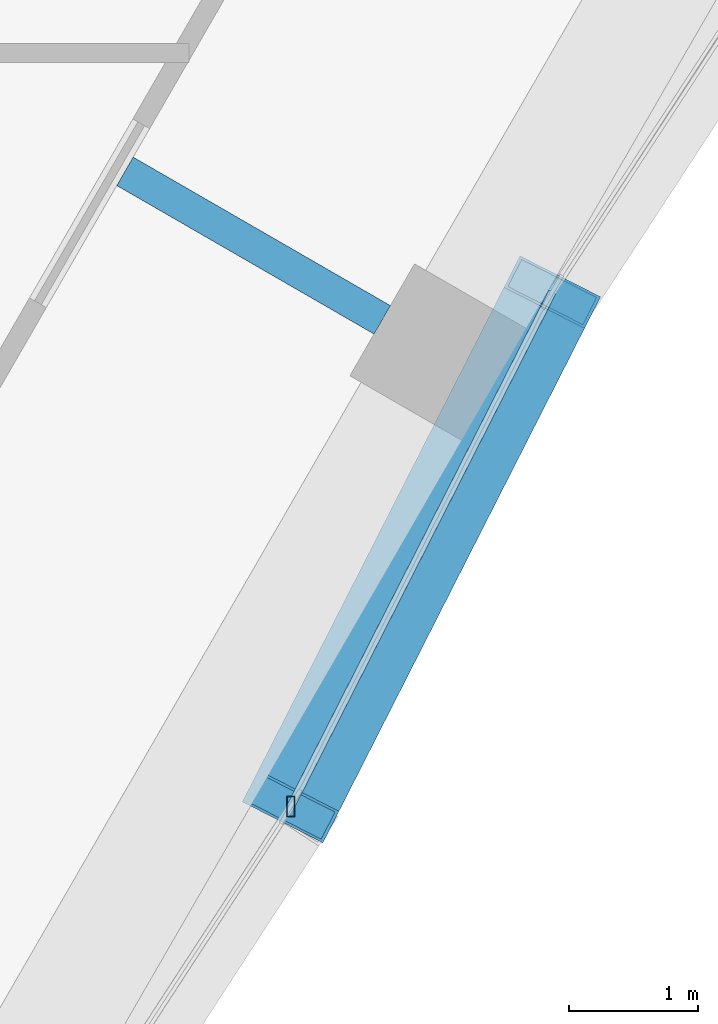
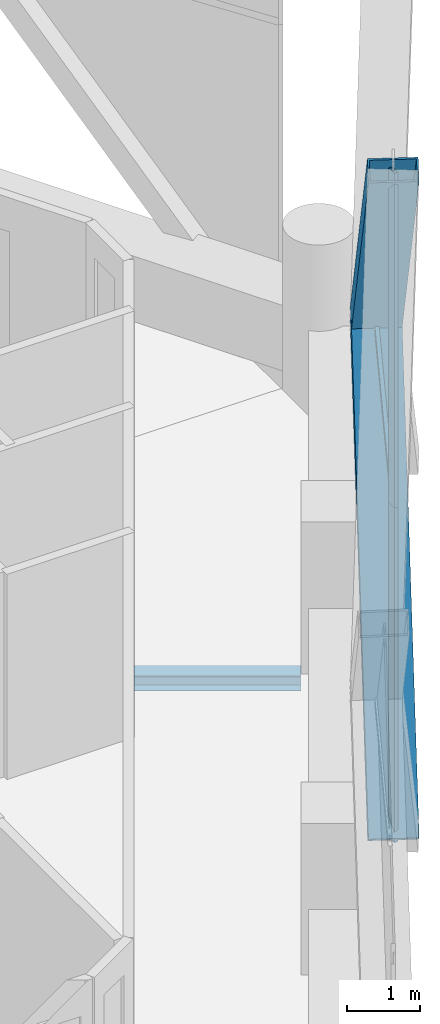
# One storey, part 6 of 19: 5 members, 1 beam, 2 elements without a shape of their own.
"""IFC4 building model written with IfcOpenShell, lengths in metres."""

import ifcopenshell
import ifcopenshell.guid

model = None  # the IFC model being written
_history = None  # IfcOwnerHistory: only IFC2X3 demands one
_inside = {}  # id of a spatial element -> (the spatial element, [elements in it])
_under = {}  # id of a project, library or spatial element -> (it, [spatial elements below it])
_declared = {}  # id of a project -> (the project, [libraries it declares])
_typed = {}  # id of a type object -> (the type object, [elements of that type])
_made_of = {}  # id of a material, layer set ... -> (it, [elements and type objects made of it])


def new_model(schema):
    """Start an empty IFC model of exactly this schema.

    Asked for "IFC4X3", IfcOpenShell would pick the latest addendum, in which some entities
    have other attributes; the version numbers below select the first issue.
    IFC2X3 requires an IfcOwnerHistory on every rooted entity: one is made here for all.
    """
    global model, _history
    if schema == "IFC4X3":
        model = ifcopenshell.file(schema_version=(4, 3, 0, 0))
    else:
        model = ifcopenshell.file(schema=schema)
    _inside.clear()
    _under.clear()
    _declared.clear()
    _typed.clear()
    _made_of.clear()
    _history = None
    if model.schema == "IFC2X3":
        org = make("IfcOrganization", Name="unknown")
        user = make(
            "IfcPersonAndOrganization",
            ThePerson=make("IfcPerson", FamilyName="unknown"),
            TheOrganization=org,
        )
        app = make(
            "IfcApplication",
            ApplicationDeveloper=org,
            Version="unknown",
            ApplicationFullName="unknown",
            ApplicationIdentifier="unknown",
        )
        _history = make(
            "IfcOwnerHistory",
            OwningUser=user,
            OwningApplication=app,
            ChangeAction="ADDED",
            CreationDate=0,
        )
    return model


def make(cls, **values):
    """One entity of the class cls with the attributes given. An attribute that is None is left unset."""
    return model.create_entity(
        cls, **{name: value for name, value in values.items() if value is not None}
    )


def rooted(cls, **values):
    """An entity with a GlobalId (a new one), such as an element, a storey or a relation."""
    return make(cls, GlobalId=ifcopenshell.guid.new(), OwnerHistory=_history, **values)


def si_unit(unit_type, name, prefix=None):
    """IfcSIUnit, for example si_unit("LENGTHUNIT", "METRE", prefix="MILLI")."""
    return make("IfcSIUnit", UnitType=unit_type, Prefix=prefix, Name=name)


def assignment(units):
    """IfcUnitAssignment: the units of a project."""
    return None if units is None else make("IfcUnitAssignment", Units=units)


def point(xyz):
    """IfcCartesianPoint."""
    return None if xyz is None else make("IfcCartesianPoint", Coordinates=xyz)


def direction(xyz):
    """IfcDirection."""
    return None if xyz is None else make("IfcDirection", DirectionRatios=xyz)


def frame(location, z_axis=None, x_axis=None):
    """IfcAxis2Placement3D, a coordinate frame: its origin and axes. An axis left out is left unset."""
    return make(
        "IfcAxis2Placement3D",
        Location=point(location),
        Axis=direction(z_axis),
        RefDirection=direction(x_axis),
    )


def frame_2d(location, x_axis=None):
    """IfcAxis2Placement2D, a coordinate frame in the plane: its origin and x axis."""
    return make(
        "IfcAxis2Placement2D", Location=point(location), RefDirection=direction(x_axis)
    )


def origin():
    """The frame at (0, 0, 0) with its axes left unset."""
    return frame((0.0, 0.0, 0.0))


def origin_2d():
    """The frame at (0, 0) in the plane with its x axis left unset."""
    return frame_2d((0.0, 0.0))


def place(relative_to, where):
    """IfcLocalPlacement: puts the frame where relative to a parent placement (None: the world)."""
    return make(
        "IfcLocalPlacement", PlacementRelTo=relative_to, RelativePlacement=where
    )


def context(
    kind, dimensions, precision=None, world=None, true_north=None, identifier=None
):
    """IfcGeometricRepresentationContext, for example the 3D "Model" context."""
    return make(
        "IfcGeometricRepresentationContext",
        ContextIdentifier=identifier,
        ContextType=kind,
        CoordinateSpaceDimension=dimensions,
        Precision=precision,
        WorldCoordinateSystem=world,
        TrueNorth=true_north,
    )


def subcontext(parent, identifier, kind, view, scale=None):
    """IfcGeometricRepresentationSubContext, for example "Body" below "Model"."""
    return make(
        "IfcGeometricRepresentationSubContext",
        ContextIdentifier=identifier,
        ContextType=kind,
        ParentContext=parent,
        TargetScale=scale,
        TargetView=view,
    )


def project(units=None, contexts=None):
    """IfcProject with its units and contexts."""
    return rooted(
        "IfcProject",
        Name="project",
        RepresentationContexts=contexts,
        UnitsInContext=assignment(units),
    )


def spatial(cls, under=None, at=None, **own):
    """A site, building, storey or space (cls), placed at a placement, below another one or the project."""
    s = rooted(cls, ObjectPlacement=at, **own)
    if under is not None:
        _under.setdefault(under.id(), (under, []))[1].append(s)
    return s


def profile(cls, at=None, kind="AREA", **sizes):
    """A parametric profile (cls). Its sizes go by their IFC names, for example OverallWidth=200.0."""
    return make(cls, ProfileType=kind, Position=at, **sizes)


def hollow_rectangle(**sizes):
    """IfcRectangleHollowProfileDef."""
    return profile("IfcRectangleHollowProfileDef", **sizes)


def i_section(**sizes):
    """IfcIShapeProfileDef."""
    return profile("IfcIShapeProfileDef", **sizes)


def extrude(swept, where, along, depth):
    """IfcExtrudedAreaSolid: the profile swept, set in the frame where, extruded along a direction by depth."""
    return make(
        "IfcExtrudedAreaSolid",
        SweptArea=swept,
        Position=where,
        ExtrudedDirection=direction(along),
        Depth=depth,
    )


def shape(context_of_items, identifier, shape_type, items):
    """IfcShapeRepresentation: the items that make up one representation, for example the "Body"."""
    return make(
        "IfcShapeRepresentation",
        ContextOfItems=context_of_items,
        RepresentationIdentifier=identifier,
        RepresentationType=shape_type,
        Items=items,
    )


def material(Name=None, Category=None):
    """IfcMaterial."""
    return make("IfcMaterial", Name=Name, Category=Category)


def material_profile(
    of_material, cross_section, Name=None, Category=None, Priority=None
):
    """IfcMaterialProfile: a cross section and its material."""
    return make(
        "IfcMaterialProfile",
        Name=Name,
        Material=of_material,
        Profile=cross_section,
        Priority=Priority,
        Category=Category,
    )


def profile_set(profiles, Name=None, composite=None):
    """IfcMaterialProfileSet."""
    return make(
        "IfcMaterialProfileSet",
        Name=Name,
        MaterialProfiles=profiles,
        CompositeProfile=composite,
    )


def made_of(thing, what):
    """Note that an element or type object is made of a material, layer set ...; save() writes the relation."""
    if what is not None:
        _made_of.setdefault(what.id(), (what, []))[1].append(thing)
    return thing


def type_object(cls, material=None, **own):
    """A type object (cls), such as IfcWallType, which elements share."""
    return made_of(rooted(cls, **own), material)


def element(
    cls,
    number,
    at=None,
    inside=None,
    cuts=None,
    type_object=None,
    material=None,
    context=None,
    identifier="Body",
    shape_type=None,
    held_by="IfcProductDefinitionShape",
    body=None,
    shapes=None,
    **own,
):
    """One element of the class cls, such as IfcWall. Its Tag is "e" and its number.

    at: its placement. inside: the storey or other place that contains it. cuts: it is an
    opening in that element (IfcRelVoidsElement). A single representation is given by context,
    identifier, shape_type and body (its items); several are given by shapes. held_by: the class
    of the entity that holds the representations. save() writes the other relations.
    """
    e = rooted(cls, Tag="e%d" % number, ObjectPlacement=at, **own)
    if body is not None:
        shapes = [shape(context, identifier, shape_type, body)]
    if shapes is not None:
        e.Representation = make(held_by, Representations=shapes)
    if inside is not None:
        _inside.setdefault(inside.id(), (inside, []))[1].append(e)
    if cuts is not None:
        rooted(
            "IfcRelVoidsElement", RelatingBuildingElement=cuts, RelatedOpeningElement=e
        )
    if type_object is not None:
        _typed.setdefault(type_object.id(), (type_object, []))[1].append(e)
    return made_of(e, material)


def aggregate(whole, parts):
    """IfcRelAggregates: a whole, such as a stair, and the parts it consists of."""
    return rooted("IfcRelAggregates", RelatingObject=whole, RelatedObjects=parts)


def save(model, path):
    """Write the relations noted so far, then the file.

    IfcRelAggregates (storeys below a building ...), IfcRelContainedInSpatialStructure (elements
    in a storey), IfcRelDefinesByType, IfcRelAssociatesMaterial and IfcRelDeclares: one each for
    every whole, place, type object, material and project.
    """
    for whole, parts in _under.values():
        aggregate(whole, parts)
    for where, things in _inside.values():
        rooted(
            "IfcRelContainedInSpatialStructure",
            RelatedElements=things,
            RelatingStructure=where,
        )
    for kind, things in _typed.values():
        rooted("IfcRelDefinesByType", RelatedObjects=things, RelatingType=kind)
    for what, things in _made_of.values():
        rooted("IfcRelAssociatesMaterial", RelatedObjects=things, RelatingMaterial=what)
    for by, libraries in _declared.values():
        rooted("IfcRelDeclares", RelatingContext=by, RelatedDefinitions=libraries)
    model.write(path)


model = new_model("IFC4")

# Units and contexts
model_context = context("Model", 3, precision=1e-05, world=origin(), true_north=direction((0.0, 1.0)))
body_context = subcontext(model_context, "Body", "Model", "MODEL_VIEW")
ifc_project = project(units=[si_unit("LENGTHUNIT", "METRE"), si_unit("AREAUNIT", "SQUARE_METRE"), si_unit("VOLUMEUNIT", "CUBIC_METRE"), si_unit("PLANEANGLEUNIT", "RADIAN"), si_unit("MASSUNIT", "GRAM", prefix="KILO")], contexts=[model_context])

# Site, building, storey
site_placement = place(None, origin())
site = spatial("IfcSite", under=ifc_project, at=site_placement, CompositionType="ELEMENT")
building_placement = place(site_placement, origin())
building = spatial("IfcBuilding", under=site, at=building_placement, Name="Ostrander Bayou Hotel Tower", CompositionType="ELEMENT")
storey_placement = place(building_placement, frame((0.0, 0.0, 164.5)))
storey = spatial("IfcBuildingStorey", under=building, at=storey_placement, Name="L40", CompositionType="ELEMENT", Elevation=164.5)

# Curtain wall, members
ifc_material_1 = material(Name="Aluminium and clear glass", Category="aluminium")
curtain_wall_type = type_object("IfcCurtainWallType", Name="CW-LAT lattice glazing", PredefinedType="NOTDEFINED", material=ifc_material_1)
curtain_wall_1_placement = place(storey_placement, origin())
curtain_wall_1 = element("IfcCurtainWall", 1, at=curtain_wall_1_placement, inside=storey, type_object=curtain_wall_type, Name="CW-LAT L40 SE 1", PredefinedType="NOTDEFINED")
ifc_material_2 = material(Name="Aluminium", Category="aluminium")
ifc_material_profile_1 = material_profile(ifc_material_2, hollow_rectangle(XDim=0.06005859375, YDim=0.159912109375, WallThickness=0.00390625, at=origin_2d()))
ifc_profile_set_1 = profile_set([ifc_material_profile_1], Name="Aluminium")
member_type_1 = type_object("IfcMemberType", Name="CW-LA mullion 60 x 160 mm", PredefinedType="MULLION", material=ifc_profile_set_1)
member_1_placement = place(storey_placement, frame((16.51513671875, -9.534912109375, -0.60009765625), z_axis=(0.0, 0.0, 1.0), x_axis=(1.0, 0.0, 0.0)))
member_1 = element("IfcMember", 2, at=member_1_placement, type_object=member_type_1, Name="CW-LAT mullion 4", PredefinedType="MULLION", context=body_context, shape_type="SweptSolid", body=[
    extrude(hollow_rectangle(XDim=0.06005859375, YDim=0.159912109375, WallThickness=0.00390625, at=origin_2d()), origin(), (0.0, 0.0, 1.0), 5.625),
])
member_2_placement = place(storey_placement, frame((16.51513671875, -9.534912109375, 5.02490234375), z_axis=(0.0, 0.0, 1.0), x_axis=(1.0, 0.0, 0.0)))
member_2 = element("IfcMember", 3, at=member_2_placement, type_object=member_type_1, Name="CW-LAT mullion 5", PredefinedType="MULLION", context=body_context, shape_type="SweptSolid", body=[
    extrude(hollow_rectangle(XDim=0.06005859375, YDim=0.159912109375, WallThickness=0.00390625, at=origin_2d()), origin(), (0.0, 0.0, 1.0), 5.625),
])
aggregate(curtain_wall_1, [member_1, member_2])

# Curtain wall, member
curtain_wall_2_placement = place(storey_placement, origin())
curtain_wall_2 = element("IfcCurtainWall", 4, at=curtain_wall_2_placement, inside=storey, type_object=curtain_wall_type, Name="CW-LAT L40 SE 2", PredefinedType="NOTDEFINED")
ifc_material_3 = material(Name="Aluminium", Category="aluminium")
ifc_material_profile_2 = material_profile(ifc_material_3, hollow_rectangle(XDim=0.06005859375, YDim=0.1201171875, WallThickness=0.00390625, at=origin_2d()))
ifc_profile_set_2 = profile_set([ifc_material_profile_2], Name="Aluminium")
member_type_2 = type_object("IfcMemberType", Name="CW-LA transom 60 x 120 mm", PredefinedType="USERDEFINED", material=ifc_profile_set_2)
member_3_placement = place(storey_placement, frame((16.51513671875, -9.534912109375, 5.02490234375), z_axis=(0.453256240466, 0.891380267046, 0.0), x_axis=(-0.891380267046, 0.453256240466, 0.0)))
member_3 = element("IfcMember", 5, at=member_3_placement, type_object=member_type_2, Name="CW-LAT transom 7", ObjectType="TRANSOM", PredefinedType="USERDEFINED", context=body_context, shape_type="SweptSolid", body=[
    extrude(hollow_rectangle(XDim=0.06005859375, YDim=0.1201171875, WallThickness=0.00390625, at=origin_2d()), origin(), (0.0, 0.0, 1.0), 4.468994140625),
])
aggregate(curtain_wall_2, [member_3])

# Beam
ifc_material_4 = material(Name="Steel ASTM A992", Category="steel")
ifc_material_profile_3 = material_profile(ifc_material_4, i_section(OverallWidth=0.25390625, OverallDepth=0.25341796875, WebThickness=0.008544921875, FlangeThickness=0.01416015625, at=origin_2d()))
ifc_profile_set_3 = profile_set([ifc_material_profile_3], Name="Steel ASTM A992")
beam_type = type_object("IfcBeamType", Name="LB2 loggia bracket W10x49", PredefinedType="BEAM", material=ifc_profile_set_3)
beam_placement = place(storey_placement, frame((17.224365234375, -5.7666015625, -0.4267578125), z_axis=(-0.866053019151, 0.499952165731, 0.0), x_axis=(-0.499952165731, -0.866053019151, 0.0)))
element("IfcBeam", 6, at=beam_placement, inside=storey, type_object=beam_type, Name="LB2 L40 SE2", PredefinedType="BEAM", context=body_context, shape_type="SweptSolid", body=[
    extrude(i_section(OverallWidth=0.25390625, OverallDepth=0.25341796875, WebThickness=0.008544921875, FlangeThickness=0.01416015625, at=origin_2d()), origin(), (0.0, 0.0, 1.0), 2.300048828125),
])

# Members
ifc_material_5 = material(Name="Steel ASTM A572 Gr 50", Category="steel")
ifc_material_profile_4 = material_profile(ifc_material_5, hollow_rectangle(XDim=0.699951171875, YDim=0.35009765625, WallThickness=0.02490234375, at=origin_2d()))
ifc_profile_set_4 = profile_set([ifc_material_profile_4], Name="Steel ASTM A572 Gr 50")
member_type_3 = type_object("IfcMemberType", Name="LT1 lattice member box 700 x 350 x 25 mm", PredefinedType="BRACE", material=ifc_profile_set_4)
for number, where, z_axis, x_axis, name in (
    (7, (18.540771484375, -5.55126953125, 5.02490234375), (-0.281955535595, -0.554497827444, -0.782964389552), (0.891380267046, -0.453256240466, 0.0), "LT1 L40 SE 5"),
    (8, (18.540771484375, -5.55126953125, 5.02490234375), (-0.281955535595, -0.554497827444, 0.782964389552), (0.891380267046, -0.453256240466, 0.0), "LT1 L40 SE 6"),
):
    element("IfcMember", number, at=place(storey_placement, frame(where, z_axis=z_axis, x_axis=x_axis)), inside=storey, type_object=member_type_3, Name=name, PredefinedType="BRACE", context=body_context, shape_type="SweptSolid", body=[
        extrude(hollow_rectangle(XDim=0.699951171875, YDim=0.35009765625, WallThickness=0.02490234375, at=origin_2d()), origin(), (0.0, 0.0, 1.0), 7.184326171875),
    ])

save(model, "model.ifc")
